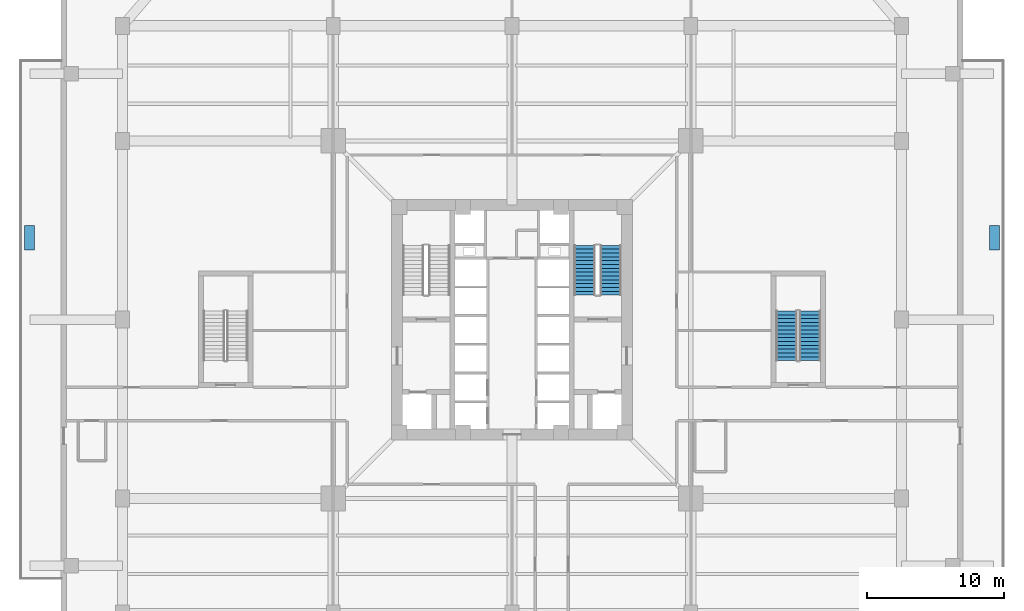
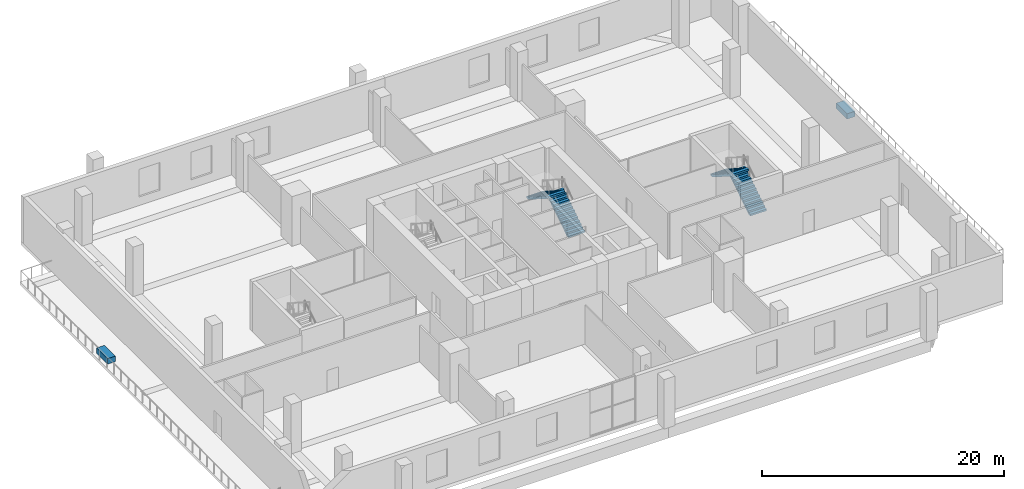
# One storey, part 9 of 14: 4 stair flights, 2 discrete accessories, 2 elements without a shape of their own.
"""IFC4 building model written with IfcOpenShell, lengths in metres."""

from ifc_helpers import new_model, si_unit, direction, frame, origin, origin_2d, place, context, subcontext, project, spatial, polyline, rectangle, outline, extrude, source, transform, mapped, material, type_object, element, aggregate, save


model = new_model("IFC4")

# Units and contexts
model_context = context("Model", 3, precision=1e-05, world=origin(), true_north=direction((0.0, 1.0)))
body_context = subcontext(model_context, "Body", "Model", "MODEL_VIEW")
ifc_project = project(units=[si_unit("LENGTHUNIT", "METRE"), si_unit("AREAUNIT", "SQUARE_METRE"), si_unit("VOLUMEUNIT", "CUBIC_METRE"), si_unit("PLANEANGLEUNIT", "RADIAN"), si_unit("MASSUNIT", "GRAM", prefix="KILO"), si_unit("THERMODYNAMICTEMPERATUREUNIT", "KELVIN")], contexts=[model_context])

# Site, building, storey
site_placement = place(None, origin())
site = spatial("IfcSite", under=ifc_project, at=site_placement, CompositionType="ELEMENT")
building_placement = place(site_placement, origin())
building = spatial("IfcBuilding", under=site, at=building_placement, Name="Kosmvard Interchange Tower", CompositionType="ELEMENT")
storey_placement = place(building_placement, frame((0.0, 0.0, 16.0)))
storey = spatial("IfcBuildingStorey", under=building, at=storey_placement, Name="L03", CompositionType="ELEMENT", Elevation=16.0)

# Stair, stair flights
ifc_material_1 = material(Name="Concrete C50/60", Category="concrete")
stair_type = type_object("IfcStairType", Name="Dog-Leg Core Exit Stair H5000 C50/60", PredefinedType="HALF_TURN_STAIR", material=ifc_material_1)
stair_1_placement = place(storey_placement, origin())
stair_1 = element("IfcStair", 1, at=stair_1_placement, inside=storey, type_object=stair_type, Name="L03 Protected Exit Stair ST-2", PredefinedType="HALF_TURN_STAIR")
stair_flight_type = type_object("IfcStairFlightType", Name="Core Stair Flight W1550 H5000 C50/60", PredefinedType="STRAIGHT", material=ifc_material_1)
shared_shape_1 = source(origin(), body_context, "Body", "SweptSolid", [
    extrude(outline(polyline([(0.0, 0.0), (0.0, 0.178466796875), (0.280029296875, 0.178466796875), (0.280029296875, 0.357177734375), (0.56005859375, 0.357177734375), (0.56005859375, 0.53564453125), (0.840087890625, 0.53564453125), (0.840087890625, 0.71435546875), (1.1201171875, 0.71435546875), (1.1201171875, 0.892822265625), (1.39990234375, 0.892822265625), (1.39990234375, 1.071533203125), (1.679931640625, 1.071533203125), (1.679931640625, 1.25), (1.9599609375, 1.25), (1.9599609375, 1.428466796875), (2.239990234375, 1.428466796875), (2.239990234375, 1.607177734375), (2.52001953125, 1.607177734375), (2.52001953125, 1.78564453125), (2.800048828125, 1.78564453125), (2.800048828125, 1.96435546875), (3.080078125, 1.96435546875), (3.080078125, 2.142822265625), (3.360107421875, 2.142822265625), (3.360107421875, 2.321533203125), (3.639892578125, 2.321533203125), (3.639892578125, 2.5), (3.639892578125, 2.1318359375), (0.29736328125, 0.0), (0.0, 0.0)])), frame((0.0, 0.77490234375, 0.0), z_axis=(0.0, -1.0, 0.0), x_axis=(1.0, 0.0, 0.0)), (0.0, 0.0, 1.0), 1.550048828125),
])
stair_flight_1_placement = place(storey_placement, frame((7.22509765625, 1.800048828125, 0.0), z_axis=(0.0, 0.0, 1.0), x_axis=(0.0, 1.0, 0.0)))
stair_flight_1 = element("IfcStairFlight", 2, at=stair_flight_1_placement, type_object=stair_flight_type, Name="ST-2 flight 1", NumberOfRisers=14, NumberOfTreads=13, PredefinedType="STRAIGHT", RiserHeight=0.178571429, TreadLength=0.28, context=body_context, shape_type="MappedRepresentation", body=[
    mapped(shared_shape_1, transform((0.0, 0.0, 0.0), scale=1.0)),
])
stair_flight_2_placement = place(storey_placement, frame((5.31494140625, 5.43994140625, 2.5), z_axis=(0.0, 0.0, 1.0), x_axis=(0.0, -1.0, 0.0)))
stair_flight_2 = element("IfcStairFlight", 3, at=stair_flight_2_placement, type_object=stair_flight_type, Name="ST-2 flight 2", NumberOfRisers=14, NumberOfTreads=13, PredefinedType="STRAIGHT", RiserHeight=0.178571429, TreadLength=0.28, context=body_context, shape_type="MappedRepresentation", body=[
    mapped(shared_shape_1, transform((0.0, 0.0, 0.0), scale=1.0)),
])
aggregate(stair_1, [stair_flight_1, stair_flight_2])

stair_2_placement = place(storey_placement, origin())
stair_2 = element("IfcStair", 4, at=stair_2_placement, inside=storey, type_object=stair_type, Name="L03 Podium Concourse Stair ST-4", PredefinedType="HALF_TURN_STAIR")
stair_flight_3_placement = place(storey_placement, frame((21.804931640625, -3.0, 0.0), z_axis=(0.0, 0.0, 1.0), x_axis=(0.0, 1.0, 0.0)))
stair_flight_3 = element("IfcStairFlight", 5, at=stair_flight_3_placement, type_object=stair_flight_type, Name="ST-4 flight 1", NumberOfRisers=14, NumberOfTreads=13, PredefinedType="STRAIGHT", RiserHeight=0.178571429, TreadLength=0.28, context=body_context, shape_type="MappedRepresentation", body=[
    mapped(shared_shape_1, transform((0.0, 0.0, 0.0), scale=1.0)),
])
stair_flight_4_placement = place(storey_placement, frame((20.094970703125, 0.639892578125, 2.5), z_axis=(0.0, 0.0, 1.0), x_axis=(0.0, -1.0, 0.0)))
stair_flight_4 = element("IfcStairFlight", 6, at=stair_flight_4_placement, type_object=stair_flight_type, Name="ST-4 flight 2", NumberOfRisers=14, NumberOfTreads=13, PredefinedType="STRAIGHT", RiserHeight=0.178571429, TreadLength=0.28, context=body_context, shape_type="MappedRepresentation", body=[
    mapped(shared_shape_1, transform((0.0, 0.0, 0.0), scale=1.0)),
])
aggregate(stair_2, [stair_flight_3, stair_flight_4])

# Discrete accessories
ifc_material_2 = material(Name="Terracotta precast planter concrete C45/55", Category="masonry")
discrete_accessory_type = type_object("IfcDiscreteAccessoryType", Name="Precast Tree-Balcony & Terrace Planter Box", PredefinedType="USERDEFINED", material=ifc_material_2)
shared_shape_2 = source(origin(), body_context, "Body", "SweptSolid", [
    extrude(rectangle(XDim=0.75, YDim=1.800048828125, at=origin_2d()), origin(), (0.0, 0.0, 1.0), 0.550048828125),
])
for number, where, z_axis, x_axis, name in (
    (7, (-35.300048828125, 6.0, 0.0), (0.0, 0.0, 1.0), (1.0, 0.0, 0.0), "L03 Cascading Terrace Tree Planter TER-L03-W"),
    (8, (35.300048828125, 6.0, 0.0), (0.0, 0.0, 1.0), (1.0, 0.0, 0.0), "L03 Cascading Terrace Tree Planter TER-L03-E"),
):
    element("IfcDiscreteAccessory", number, at=place(storey_placement, frame(where, z_axis=z_axis, x_axis=x_axis)), inside=storey, type_object=discrete_accessory_type, Name=name, ObjectType="PLANTER", PredefinedType="USERDEFINED", context=body_context, shape_type="MappedRepresentation", body=[
        mapped(shared_shape_2, transform((0.0, 0.0, 0.0), scale=1.0)),
    ])

save(model, "model.ifc")
